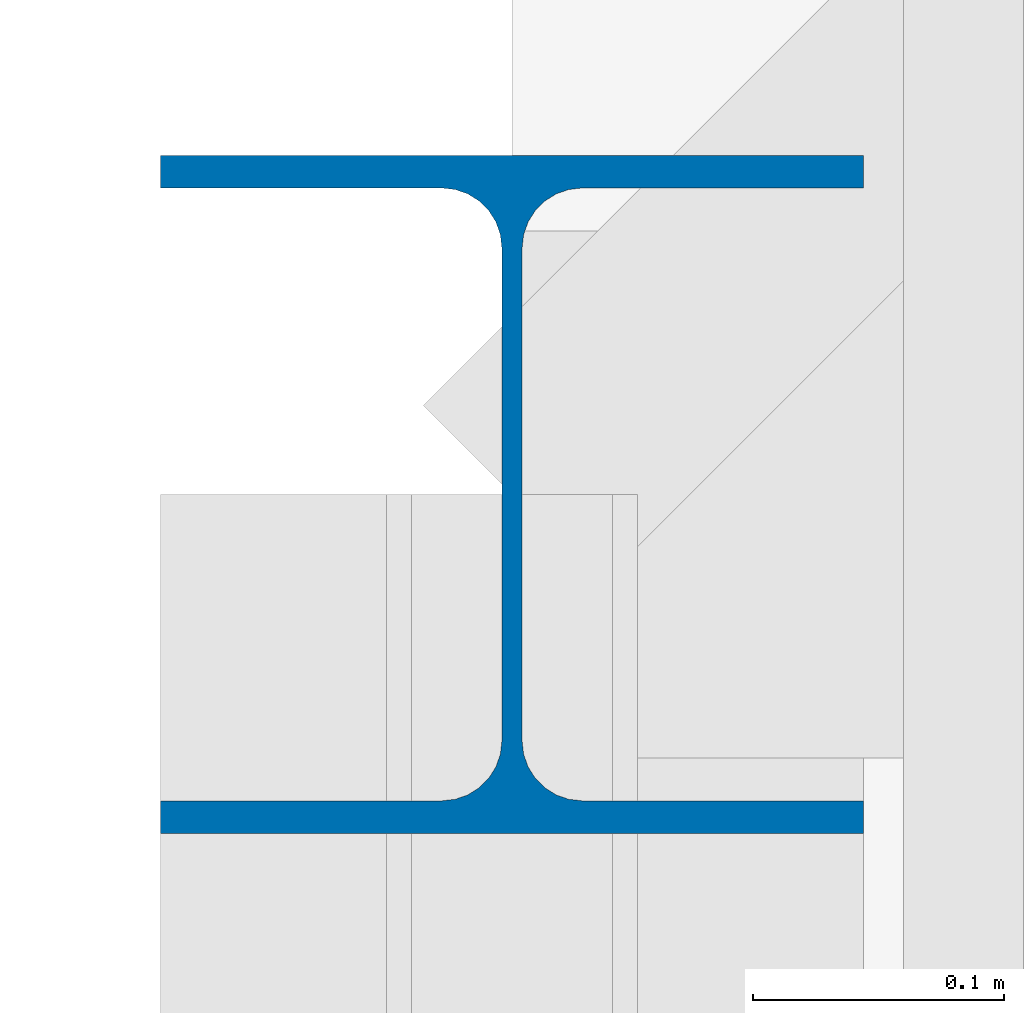
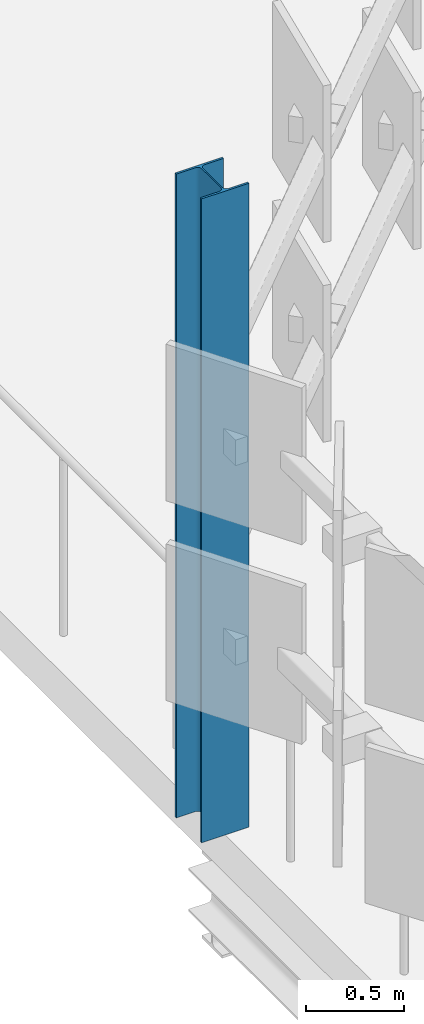
# One storey, part 5 of 69: 1 column.
"""IFC4 building model written with IfcOpenShell, lengths in metres."""

import ifcopenshell
import ifcopenshell.guid

model = None  # the IFC model being written
_history = None  # IfcOwnerHistory: only IFC2X3 demands one
_inside = {}  # id of a spatial element -> (the spatial element, [elements in it])
_under = {}  # id of a project, library or spatial element -> (it, [spatial elements below it])
_declared = {}  # id of a project -> (the project, [libraries it declares])
_typed = {}  # id of a type object -> (the type object, [elements of that type])
_made_of = {}  # id of a material, layer set ... -> (it, [elements and type objects made of it])


def new_model(schema):
    """Start an empty IFC model of exactly this schema.

    Asked for "IFC4X3", IfcOpenShell would pick the latest addendum, in which some entities
    have other attributes; the version numbers below select the first issue.
    IFC2X3 requires an IfcOwnerHistory on every rooted entity: one is made here for all.
    """
    global model, _history
    if schema == "IFC4X3":
        model = ifcopenshell.file(schema_version=(4, 3, 0, 0))
    else:
        model = ifcopenshell.file(schema=schema)
    _inside.clear()
    _under.clear()
    _declared.clear()
    _typed.clear()
    _made_of.clear()
    _history = None
    if model.schema == "IFC2X3":
        org = make("IfcOrganization", Name="unknown")
        user = make(
            "IfcPersonAndOrganization",
            ThePerson=make("IfcPerson", FamilyName="unknown"),
            TheOrganization=org,
        )
        app = make(
            "IfcApplication",
            ApplicationDeveloper=org,
            Version="unknown",
            ApplicationFullName="unknown",
            ApplicationIdentifier="unknown",
        )
        _history = make(
            "IfcOwnerHistory",
            OwningUser=user,
            OwningApplication=app,
            ChangeAction="ADDED",
            CreationDate=0,
        )
    return model


def make(cls, **values):
    """One entity of the class cls with the attributes given. An attribute that is None is left unset."""
    return model.create_entity(
        cls, **{name: value for name, value in values.items() if value is not None}
    )


def rooted(cls, **values):
    """An entity with a GlobalId (a new one), such as an element, a storey or a relation."""
    return make(cls, GlobalId=ifcopenshell.guid.new(), OwnerHistory=_history, **values)


def si_unit(unit_type, name, prefix=None):
    """IfcSIUnit, for example si_unit("LENGTHUNIT", "METRE", prefix="MILLI")."""
    return make("IfcSIUnit", UnitType=unit_type, Prefix=prefix, Name=name)


def assignment(units):
    """IfcUnitAssignment: the units of a project."""
    return None if units is None else make("IfcUnitAssignment", Units=units)


def point(xyz):
    """IfcCartesianPoint."""
    return None if xyz is None else make("IfcCartesianPoint", Coordinates=xyz)


def direction(xyz):
    """IfcDirection."""
    return None if xyz is None else make("IfcDirection", DirectionRatios=xyz)


def frame(location, z_axis=None, x_axis=None):
    """IfcAxis2Placement3D, a coordinate frame: its origin and axes. An axis left out is left unset."""
    return make(
        "IfcAxis2Placement3D",
        Location=point(location),
        Axis=direction(z_axis),
        RefDirection=direction(x_axis),
    )


def frame_2d(location, x_axis=None):
    """IfcAxis2Placement2D, a coordinate frame in the plane: its origin and x axis."""
    return make(
        "IfcAxis2Placement2D", Location=point(location), RefDirection=direction(x_axis)
    )


def origin():
    """The frame at (0, 0, 0) with its axes left unset."""
    return frame((0.0, 0.0, 0.0))


def origin_2d():
    """The frame at (0, 0) in the plane with its x axis left unset."""
    return frame_2d((0.0, 0.0))


def place(relative_to, where):
    """IfcLocalPlacement: puts the frame where relative to a parent placement (None: the world)."""
    return make(
        "IfcLocalPlacement", PlacementRelTo=relative_to, RelativePlacement=where
    )


def context(
    kind, dimensions, precision=None, world=None, true_north=None, identifier=None
):
    """IfcGeometricRepresentationContext, for example the 3D "Model" context."""
    return make(
        "IfcGeometricRepresentationContext",
        ContextIdentifier=identifier,
        ContextType=kind,
        CoordinateSpaceDimension=dimensions,
        Precision=precision,
        WorldCoordinateSystem=world,
        TrueNorth=true_north,
    )


def subcontext(parent, identifier, kind, view, scale=None):
    """IfcGeometricRepresentationSubContext, for example "Body" below "Model"."""
    return make(
        "IfcGeometricRepresentationSubContext",
        ContextIdentifier=identifier,
        ContextType=kind,
        ParentContext=parent,
        TargetScale=scale,
        TargetView=view,
    )


def project(units=None, contexts=None):
    """IfcProject with its units and contexts."""
    return rooted(
        "IfcProject",
        Name="project",
        RepresentationContexts=contexts,
        UnitsInContext=assignment(units),
    )


def spatial(cls, under=None, at=None, **own):
    """A site, building, storey or space (cls), placed at a placement, below another one or the project."""
    s = rooted(cls, ObjectPlacement=at, **own)
    if under is not None:
        _under.setdefault(under.id(), (under, []))[1].append(s)
    return s


def profile(cls, at=None, kind="AREA", **sizes):
    """A parametric profile (cls). Its sizes go by their IFC names, for example OverallWidth=200.0."""
    return make(cls, ProfileType=kind, Position=at, **sizes)


def i_section(**sizes):
    """IfcIShapeProfileDef."""
    return profile("IfcIShapeProfileDef", **sizes)


def extrude(swept, where, along, depth):
    """IfcExtrudedAreaSolid: the profile swept, set in the frame where, extruded along a direction by depth."""
    return make(
        "IfcExtrudedAreaSolid",
        SweptArea=swept,
        Position=where,
        ExtrudedDirection=direction(along),
        Depth=depth,
    )


def shape(context_of_items, identifier, shape_type, items):
    """IfcShapeRepresentation: the items that make up one representation, for example the "Body"."""
    return make(
        "IfcShapeRepresentation",
        ContextOfItems=context_of_items,
        RepresentationIdentifier=identifier,
        RepresentationType=shape_type,
        Items=items,
    )


def material(Name=None, Category=None):
    """IfcMaterial."""
    return make("IfcMaterial", Name=Name, Category=Category)


def material_profile(
    of_material, cross_section, Name=None, Category=None, Priority=None
):
    """IfcMaterialProfile: a cross section and its material."""
    return make(
        "IfcMaterialProfile",
        Name=Name,
        Material=of_material,
        Profile=cross_section,
        Priority=Priority,
        Category=Category,
    )


def profile_set(profiles, Name=None, composite=None):
    """IfcMaterialProfileSet."""
    return make(
        "IfcMaterialProfileSet",
        Name=Name,
        MaterialProfiles=profiles,
        CompositeProfile=composite,
    )


def made_of(thing, what):
    """Note that an element or type object is made of a material, layer set ...; save() writes the relation."""
    if what is not None:
        _made_of.setdefault(what.id(), (what, []))[1].append(thing)
    return thing


def type_object(cls, material=None, **own):
    """A type object (cls), such as IfcWallType, which elements share."""
    return made_of(rooted(cls, **own), material)


def element(
    cls,
    number,
    at=None,
    inside=None,
    cuts=None,
    type_object=None,
    material=None,
    context=None,
    identifier="Body",
    shape_type=None,
    held_by="IfcProductDefinitionShape",
    body=None,
    shapes=None,
    **own,
):
    """One element of the class cls, such as IfcWall. Its Tag is "e" and its number.

    at: its placement. inside: the storey or other place that contains it. cuts: it is an
    opening in that element (IfcRelVoidsElement). A single representation is given by context,
    identifier, shape_type and body (its items); several are given by shapes. held_by: the class
    of the entity that holds the representations. save() writes the other relations.
    """
    e = rooted(cls, Tag="e%d" % number, ObjectPlacement=at, **own)
    if body is not None:
        shapes = [shape(context, identifier, shape_type, body)]
    if shapes is not None:
        e.Representation = make(held_by, Representations=shapes)
    if inside is not None:
        _inside.setdefault(inside.id(), (inside, []))[1].append(e)
    if cuts is not None:
        rooted(
            "IfcRelVoidsElement", RelatingBuildingElement=cuts, RelatedOpeningElement=e
        )
    if type_object is not None:
        _typed.setdefault(type_object.id(), (type_object, []))[1].append(e)
    return made_of(e, material)


def aggregate(whole, parts):
    """IfcRelAggregates: a whole, such as a stair, and the parts it consists of."""
    return rooted("IfcRelAggregates", RelatingObject=whole, RelatedObjects=parts)


def save(model, path):
    """Write the relations noted so far, then the file.

    IfcRelAggregates (storeys below a building ...), IfcRelContainedInSpatialStructure (elements
    in a storey), IfcRelDefinesByType, IfcRelAssociatesMaterial and IfcRelDeclares: one each for
    every whole, place, type object, material and project.
    """
    for whole, parts in _under.values():
        aggregate(whole, parts)
    for where, things in _inside.values():
        rooted(
            "IfcRelContainedInSpatialStructure",
            RelatedElements=things,
            RelatingStructure=where,
        )
    for kind, things in _typed.values():
        rooted("IfcRelDefinesByType", RelatedObjects=things, RelatingType=kind)
    for what, things in _made_of.values():
        rooted("IfcRelAssociatesMaterial", RelatedObjects=things, RelatingMaterial=what)
    for by, libraries in _declared.values():
        rooted("IfcRelDeclares", RelatingContext=by, RelatedDefinitions=libraries)
    model.write(path)


model = new_model("IFC4")

# Units and contexts
model_context = context("Model", 3, precision=1e-05, world=origin(), true_north=direction((0.0, 1.0)))
body_context = subcontext(model_context, "Body", "Model", "MODEL_VIEW")
ifc_project = project(units=[si_unit("LENGTHUNIT", "METRE"), si_unit("AREAUNIT", "SQUARE_METRE"), si_unit("VOLUMEUNIT", "CUBIC_METRE"), si_unit("PLANEANGLEUNIT", "RADIAN"), si_unit("MASSUNIT", "GRAM", prefix="KILO")], contexts=[model_context])

# Site, building, storey
site_placement = place(None, origin())
site = spatial("IfcSite", under=ifc_project, at=site_placement, CompositionType="ELEMENT")
building_placement = place(site_placement, origin())
building = spatial("IfcBuilding", under=site, at=building_placement, Name="Qalvenar Corner Mobility Hub", CompositionType="ELEMENT")
storey_placement = place(building_placement, frame((0.0, 0.0, 13.199951171875)))
storey = spatial("IfcBuildingStorey", under=building, at=storey_placement, Name="L03", CompositionType="ELEMENT", Elevation=13.199951171875)

# Column
ifc_material = material(Name="Steel S355", Category="steel")
ifc_material_profile = material_profile(ifc_material, i_section(OverallWidth=0.280029296875, OverallDepth=0.27001953125, WebThickness=0.008056640625, FlangeThickness=0.012939453125, FilletRadius=0.02392578125, at=origin_2d()), Name="HEA280")
ifc_profile_set = profile_set([ifc_material_profile], Name="Steel S355")
column_type = type_object("IfcColumnType", Name="COL-HEA280", PredefinedType="COLUMN", material=ifc_profile_set)
column_placement = place(storey_placement, frame((58.800048828125, 109.199951171875, 0.0), z_axis=(0.0, 0.0, 1.0), x_axis=(1.0, 0.0, 0.0)))
element("IfcColumn", 1, at=column_placement, inside=storey, type_object=column_type, Name="Steel Column L03-G8-13", PredefinedType="COLUMN", context=body_context, shape_type="SweptSolid", body=[
    extrude(i_section(OverallWidth=0.280029296875, OverallDepth=0.27001953125, WebThickness=0.008056640625, FlangeThickness=0.012939453125, FilletRadius=0.02392578125, at=origin_2d()), origin(), (0.0, 0.0, 1.0), 4.030029296875),
])

save(model, "model.ifc")
